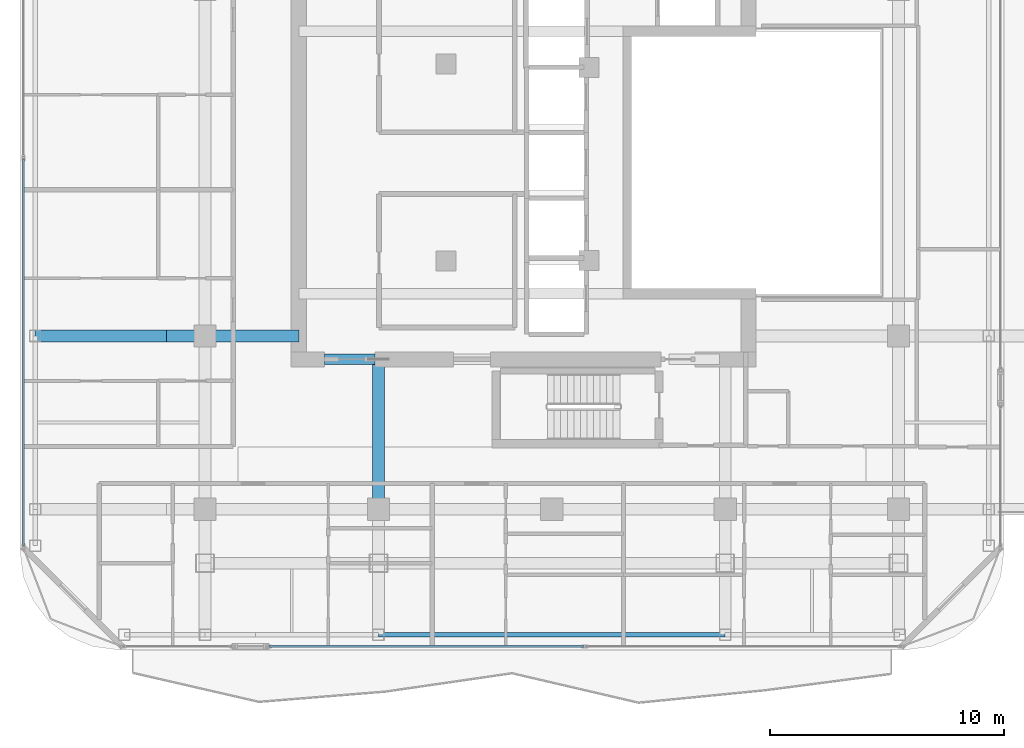
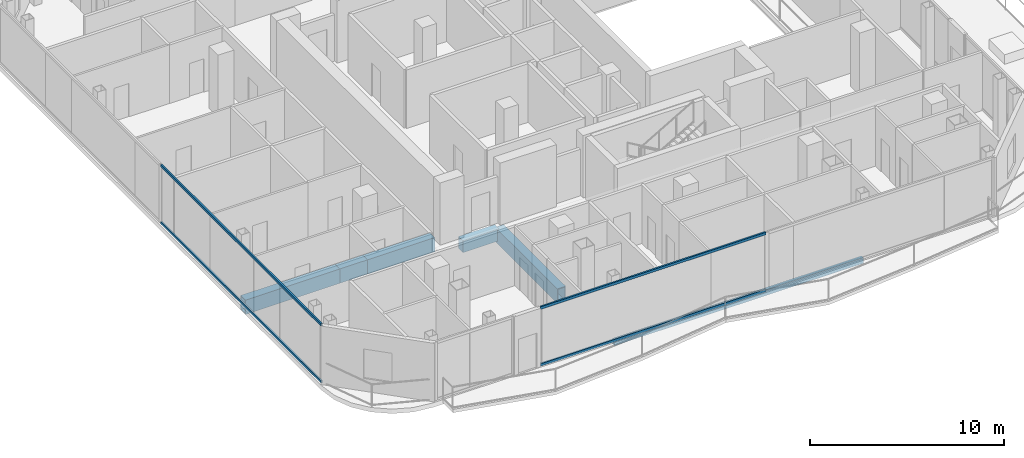
# One storey, part 3 of 24: 6 beams, 4 members, 2 elements without a shape of their own.
"""IFC4 building model written with IfcOpenShell, lengths in metres."""

from ifc_helpers import new_model, si_unit, direction, frame, origin, origin_2d, place, context, subcontext, project, spatial, rectangle, hollow_rectangle, extrude, material, layer, layer_set, material_profile, profile_set, type_object, element, aggregate, save


model = new_model("IFC4")

# Units and contexts
model_context = context("Model", 3, precision=1e-05, world=origin(), true_north=direction((0.0, 1.0)))
body_context = subcontext(model_context, "Body", "Model", "MODEL_VIEW")
ifc_project = project(units=[si_unit("LENGTHUNIT", "METRE"), si_unit("AREAUNIT", "SQUARE_METRE"), si_unit("VOLUMEUNIT", "CUBIC_METRE"), si_unit("PLANEANGLEUNIT", "RADIAN"), si_unit("MASSUNIT", "GRAM", prefix="KILO")], contexts=[model_context])

# Site, building, storey
site_placement = place(None, origin())
site = spatial("IfcSite", under=ifc_project, at=site_placement, CompositionType="ELEMENT")
building_placement = place(site_placement, origin())
building = spatial("IfcBuilding", under=site, at=building_placement, Name="Khorvyn Point Tower", CompositionType="ELEMENT")
storey_placement = place(building_placement, frame((0.0, 0.0, 285.89990234375)))
storey = spatial("IfcBuildingStorey", under=building, at=storey_placement, Name="L70", CompositionType="ELEMENT", Elevation=285.89990234375)

# Curtain wall, members
ifc_material_1 = material(Name="Anodised aluminium 6063-T6 and laminated Low-E glass", Category="aluminium")
ifc_layer = layer(ifc_material_1, 0.18994140625)
ifc_layer_set = layer_set([ifc_layer], Name="Stick-Built High-Wind Curtain Wall CW-SYS-04")
curtain_wall_type = type_object("IfcCurtainWallType", Name="Stick-Built High-Wind Curtain Wall CW-SYS-04", PredefinedType="NOTDEFINED", material=ifc_layer_set)
curtain_wall_1_placement = place(storey_placement, origin())
curtain_wall_1 = element("IfcCurtainWall", 1, at=curtain_wall_1_placement, inside=storey, type_object=curtain_wall_type, Name="Curtain Wall", PredefinedType="NOTDEFINED")
ifc_material_2 = material(Name="Anodised aluminium 6063-T6", Category="aluminium")
ifc_material_profile_1 = material_profile(ifc_material_2, hollow_rectangle(XDim=0.10009765625, YDim=0.159912109375, WallThickness=0.00439453125, at=origin_2d()))
ifc_profile_set_1 = profile_set([ifc_material_profile_1], Name="Anodised aluminium 6063-T6 ALU-TRN-100x160")
member_type = type_object("IfcMemberType", Name="Anodised Aluminium 6063-T6 Transom ALU-TRN-100x160", PredefinedType="USERDEFINED", material=ifc_profile_set_1)
member_1_placement = place(storey_placement, frame((1.35498046875, -20.64990234375, 0.050048828125), z_axis=(-1.0, 0.0, 0.0), x_axis=(0.0, -1.0, 0.0)))
member_1 = element("IfcMember", 2, at=member_1_placement, type_object=member_type, Name="Transom", ObjectType="TRANSOM", PredefinedType="USERDEFINED", context=body_context, shape_type="SweptSolid", body=[
    extrude(hollow_rectangle(XDim=0.10009765625, YDim=0.159912109375, WallThickness=0.00439453125, at=origin_2d()), origin(), (0.0, 0.0, 1.0), 13.39501953125),
])
member_2_placement = place(storey_placement, frame((1.35498046875, -20.64990234375, 3.630126953125), z_axis=(-1.0, 0.0, 0.0), x_axis=(0.0, -1.0, 0.0)))
member_2 = element("IfcMember", 3, at=member_2_placement, type_object=member_type, Name="Transom", ObjectType="TRANSOM", PredefinedType="USERDEFINED", context=body_context, shape_type="SweptSolid", body=[
    extrude(hollow_rectangle(XDim=0.10009765625, YDim=0.159912109375, WallThickness=0.00439453125, at=origin_2d()), origin(), (0.0, 0.0, 1.0), 13.39501953125),
])
aggregate(curtain_wall_1, [member_1, member_2])

curtain_wall_2_placement = place(storey_placement, origin())
curtain_wall_2 = element("IfcCurtainWall", 4, at=curtain_wall_2_placement, inside=storey, type_object=curtain_wall_type, Name="Curtain Wall", PredefinedType="NOTDEFINED")
member_3_placement = place(storey_placement, frame((-22.550048828125, -16.35009765625, 0.050048828125), z_axis=(0.0, 1.0, 0.0), x_axis=(-1.0, 0.0, 0.0)))
member_3 = element("IfcMember", 5, at=member_3_placement, type_object=member_type, Name="Transom", ObjectType="TRANSOM", PredefinedType="USERDEFINED", context=body_context, shape_type="SweptSolid", body=[
    extrude(hollow_rectangle(XDim=0.10009765625, YDim=0.159912109375, WallThickness=0.00439453125, at=origin_2d()), origin(), (0.0, 0.0, 1.0), 16.5),
])
member_4_placement = place(storey_placement, frame((-22.550048828125, -16.35009765625, 3.630126953125), z_axis=(0.0, 1.0, 0.0), x_axis=(-1.0, 0.0, 0.0)))
member_4 = element("IfcMember", 6, at=member_4_placement, type_object=member_type, Name="Transom", ObjectType="TRANSOM", PredefinedType="USERDEFINED", context=body_context, shape_type="SweptSolid", body=[
    extrude(hollow_rectangle(XDim=0.10009765625, YDim=0.159912109375, WallThickness=0.00439453125, at=origin_2d()), origin(), (0.0, 0.0, 1.0), 16.5),
])
aggregate(curtain_wall_2, [member_3, member_4])

# Beams
ifc_material_3 = material(Name="Concrete C40/50", Category="concrete")
ifc_material_profile_2 = material_profile(ifc_material_3, rectangle(XDim=0.449951171875, YDim=0.75, at=origin_2d()))
ifc_profile_set_2 = profile_set([ifc_material_profile_2], Name="Concrete C40/50 RC450x750")
beam_type_1 = type_object("IfcBeamType", Name="Concrete C40/50 Beam RC450x750", PredefinedType="BEAM", material=ifc_profile_set_2)
beam_1_placement = place(storey_placement, frame((-9.699951171875, -8.39990234375, -0.65478515625), z_axis=(1.0, 0.0, 0.0), x_axis=(0.0, 1.0, 0.0)))
element("IfcBeam", 7, at=beam_1_placement, inside=storey, type_object=beam_type_1, Name="L70 Core Southwest Portal Coupling Beam", PredefinedType="BEAM", context=body_context, shape_type="SweptSolid", body=[
    extrude(rectangle(XDim=0.449951171875, YDim=0.75, at=origin_2d()), origin(), (0.0, 0.0, 1.0), 2.14990234375),
])
ifc_material_4 = material(Name="Steel S355", Category="steel")
ifc_material_profile_3 = material_profile(ifc_material_4, hollow_rectangle(XDim=0.199951171875, YDim=0.35009765625, WallThickness=0.013916015625, at=origin_2d()))
ifc_profile_set_3 = profile_set([ifc_material_profile_3], Name="Steel S355 RHS350x200x14")
beam_type_2 = type_object("IfcBeamType", Name="Steel S355 Spandrel RHS350x200x14", PredefinedType="SPANDREL", material=ifc_profile_set_3)
beam_2_placement = place(storey_placement, frame((-7.39990234375, -20.14990234375, -0.454833984375), z_axis=(1.0, 0.0, 0.0), x_axis=(0.0, 1.0, 0.0)))
element("IfcBeam", 8, at=beam_2_placement, inside=storey, type_object=beam_type_2, Name="Beam", PredefinedType="SPANDREL", context=body_context, shape_type="SweptSolid", body=[
    extrude(hollow_rectangle(XDim=0.199951171875, YDim=0.35009765625, WallThickness=0.013916015625, at=origin_2d()), origin(), (0.0, 0.0, 1.0), 14.7998046875),
])
ifc_material_5 = material(Name="Steel S450", Category="steel")
ifc_material_profile_4 = material_profile(ifc_material_5, hollow_rectangle(XDim=0.5, YDim=0.89990234375, WallThickness=0.0400390625, at=origin_2d()))
ifc_profile_set_4 = profile_set([ifc_material_profile_4], Name="Steel S450 BOX900x500x40")
beam_type_3 = type_object("IfcBeamType", Name="Steel S450 Beam BOX900x500x40", PredefinedType="BEAM", material=ifc_profile_set_4)
beam_3_placement = place(storey_placement, frame((-22.050048828125, -7.39990234375, -0.72998046875), z_axis=(1.0, 0.0, 0.0), x_axis=(0.0, 1.0, 0.0)))
element("IfcBeam", 9, at=beam_3_placement, inside=storey, type_object=beam_type_3, Name="Beam", PredefinedType="BEAM", context=body_context, shape_type="SweptSolid", body=[
    extrude(hollow_rectangle(XDim=0.5, YDim=0.89990234375, WallThickness=0.0400390625, at=origin_2d()), origin(), (0.0, 0.0, 1.0), 5.60009765625),
])
beam_4_placement = place(storey_placement, frame((-16.449951171875, -7.39990234375, -0.72998046875), z_axis=(1.0, 0.0, 0.0), x_axis=(0.0, 1.0, 0.0)))
element("IfcBeam", 10, at=beam_4_placement, inside=storey, type_object=beam_type_3, Name="Beam", PredefinedType="BEAM", context=body_context, shape_type="SweptSolid", body=[
    extrude(hollow_rectangle(XDim=0.5, YDim=0.89990234375, WallThickness=0.0400390625, at=origin_2d()), origin(), (0.0, 0.0, 1.0), 1.64990234375),
])
beam_5_placement = place(storey_placement, frame((-14.800048828125, -7.39990234375, -0.72998046875), z_axis=(1.0, 0.0, 0.0), x_axis=(0.0, 1.0, 0.0)))
element("IfcBeam", 11, at=beam_5_placement, inside=storey, type_object=beam_type_3, Name="Beam", PredefinedType="BEAM", context=body_context, shape_type="SweptSolid", body=[
    extrude(hollow_rectangle(XDim=0.5, YDim=0.89990234375, WallThickness=0.0400390625, at=origin_2d()), origin(), (0.0, 0.0, 1.0), 4.0),
])
beam_6_placement = place(storey_placement, frame((-7.39990234375, -14.800048828125, -0.72998046875), z_axis=(0.0, 1.0, 0.0), x_axis=(-1.0, 0.0, 0.0)))
element("IfcBeam", 12, at=beam_6_placement, inside=storey, type_object=beam_type_3, Name="Beam", PredefinedType="BEAM", context=body_context, shape_type="SweptSolid", body=[
    extrude(hollow_rectangle(XDim=0.5, YDim=0.89990234375, WallThickness=0.0400390625, at=origin_2d()), origin(), (0.0, 0.0, 1.0), 6.400146484375),
])

save(model, "model.ifc")
